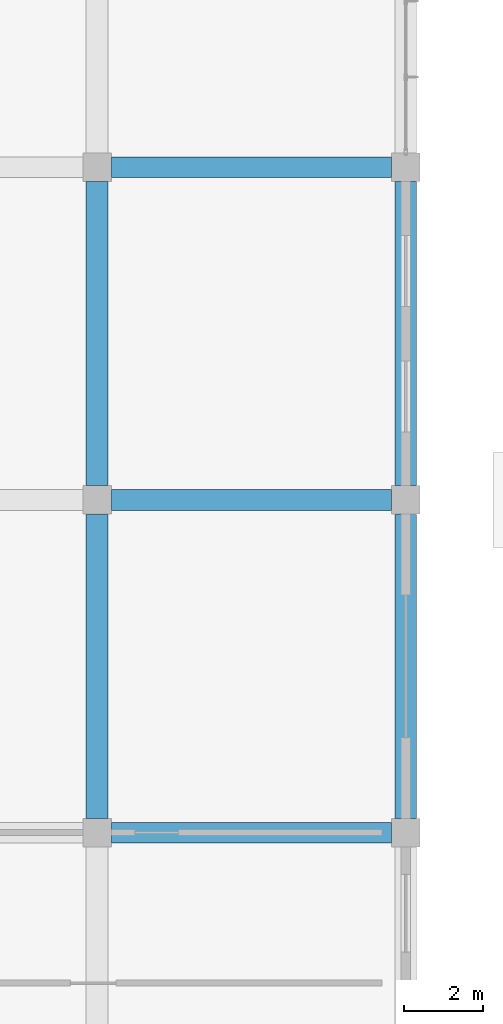
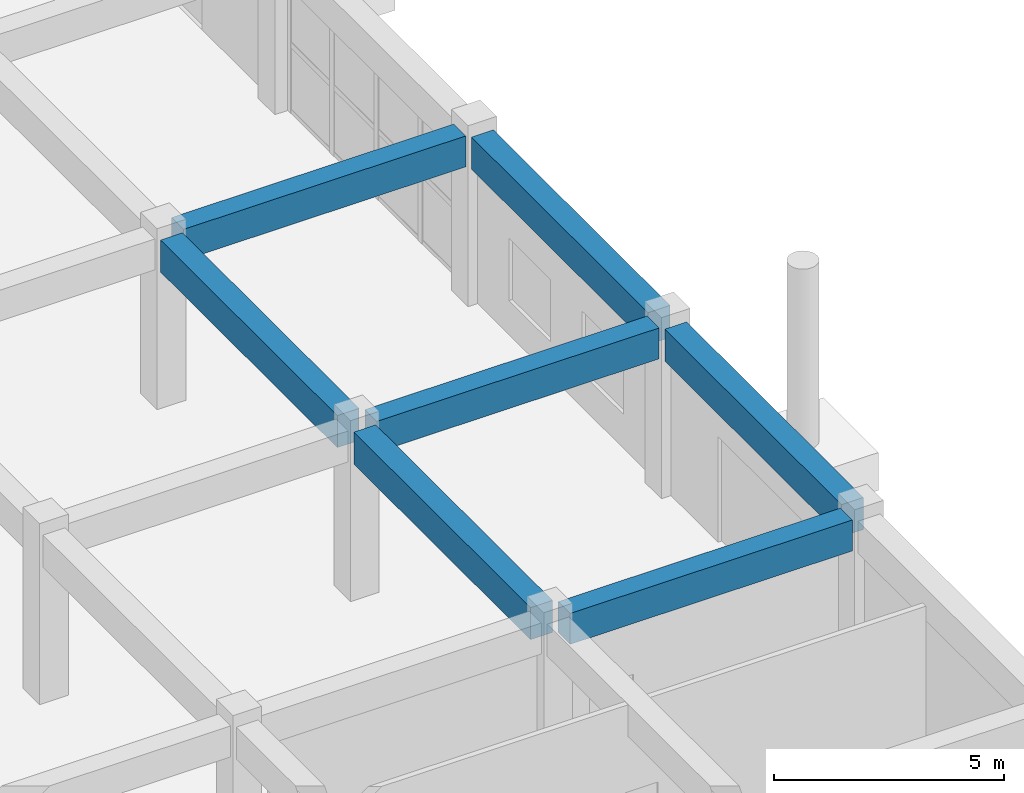
# One storey, part 90 of 139: 7 beams.
"""IFC4 building model written with IfcOpenShell, lengths in metres."""

from ifc_helpers import new_model, si_unit, direction, frame, origin, origin_2d, place, context, subcontext, project, spatial, rectangle, extrude, material, material_profile, profile_set, type_object, element, save


model = new_model("IFC4")

# Units and contexts
model_context = context("Model", 3, precision=1e-05, world=origin(), true_north=direction((0.0, 1.0)))
body_context = subcontext(model_context, "Body", "Model", "MODEL_VIEW")
ifc_project = project(units=[si_unit("LENGTHUNIT", "METRE"), si_unit("AREAUNIT", "SQUARE_METRE"), si_unit("VOLUMEUNIT", "CUBIC_METRE"), si_unit("PLANEANGLEUNIT", "RADIAN"), si_unit("MASSUNIT", "GRAM", prefix="KILO")], contexts=[model_context])

# Site, building, storey
site_placement = place(None, origin())
site = spatial("IfcSite", under=ifc_project, at=site_placement, CompositionType="ELEMENT")
building_placement = place(site_placement, origin())
building = spatial("IfcBuilding", under=site, at=building_placement, Name="Zizhar Promenade General Hospital", CompositionType="ELEMENT")
storey_placement = place(building_placement, origin())
storey = spatial("IfcBuildingStorey", under=building, at=storey_placement, Name="L00", CompositionType="ELEMENT", Elevation=0.0)

# Beams
ifc_material_1 = material(Name="Concrete C35/45", Category="concrete")
ifc_material_profile_1 = material_profile(ifc_material_1, rectangle(XDim=0.52001953125, YDim=0.820068359375, at=origin_2d()))
ifc_profile_set_1 = profile_set([ifc_material_profile_1], Name="Concrete C35/45")
beam_type_1 = type_object("IfcBeamType", Name="BM-RC-520x820", PredefinedType="BEAM", material=ifc_profile_set_1)
for number, where, z_axis, x_axis, name in (
    (1, (187.56005859375, 67.199951171875, 4.06005859375), (1.0, 0.0, 0.0), (0.0, 1.0, 0.0), "Grid Beam X L00 (24-8)"),
    (2, (187.56005859375, 75.60009765625, 4.06005859375), (1.0, 0.0, 0.0), (0.0, 1.0, 0.0), "Grid Beam X L00 (24-9)"),
    (3, (187.56005859375, 84.0, 4.06005859375), (1.0, 0.0, 0.0), (0.0, 1.0, 0.0), "Grid Beam X L00 (24-10)"),
):
    element("IfcBeam", number, at=place(storey_placement, frame(where, z_axis=z_axis, x_axis=x_axis)), inside=storey, type_object=beam_type_1, Name=name, PredefinedType="BEAM", context=body_context, shape_type="SweptSolid", body=[
        extrude(rectangle(XDim=0.52001953125, YDim=0.820068359375, at=origin_2d()), origin(), (0.0, 0.0, 1.0), 7.079833984375),
    ])
ifc_material_2 = material(Name="Concrete C35/45", Category="concrete")
ifc_material_profile_2 = material_profile(ifc_material_2, rectangle(XDim=0.550048828125, YDim=0.85009765625, at=origin_2d()))
ifc_profile_set_2 = profile_set([ifc_material_profile_2], Name="Concrete C35/45")
beam_type_2 = type_object("IfcBeamType", Name="BM-RC-550x850", PredefinedType="BEAM", material=ifc_profile_set_2)
for number, where, z_axis, x_axis, name in (
    (4, (187.199951171875, 67.56005859375, 4.044921875), (0.0, 1.0, 0.0), (-1.0, 0.0, 0.0), "Grid Beam Y L00 (24-8)"),
    (5, (187.199951171875, 75.9599609375, 4.044921875), (0.0, 1.0, 0.0), (-1.0, 0.0, 0.0), "Grid Beam Y L00 (24-9)"),
    (6, (195.0, 67.56005859375, 4.044921875), (0.0, 1.0, 0.0), (-1.0, 0.0, 0.0), "Grid Beam Y L00 (25-8)"),
    (7, (195.0, 75.9599609375, 4.044921875), (0.0, 1.0, 0.0), (-1.0, 0.0, 0.0), "Grid Beam Y L00 (25-9)"),
):
    element("IfcBeam", number, at=place(storey_placement, frame(where, z_axis=z_axis, x_axis=x_axis)), inside=storey, type_object=beam_type_2, Name=name, PredefinedType="BEAM", context=body_context, shape_type="SweptSolid", body=[
        extrude(rectangle(XDim=0.550048828125, YDim=0.85009765625, at=origin_2d()), origin(), (0.0, 0.0, 1.0), 7.679931640625),
    ])

save(model, "model.ifc")
